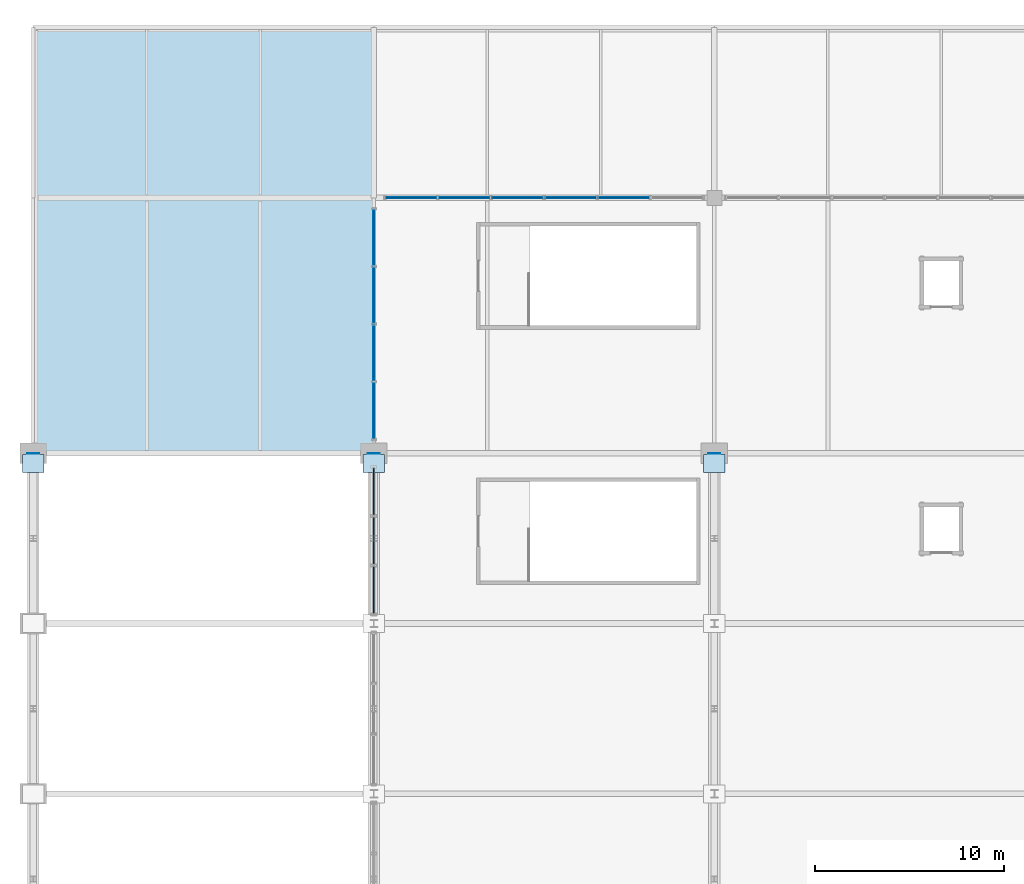
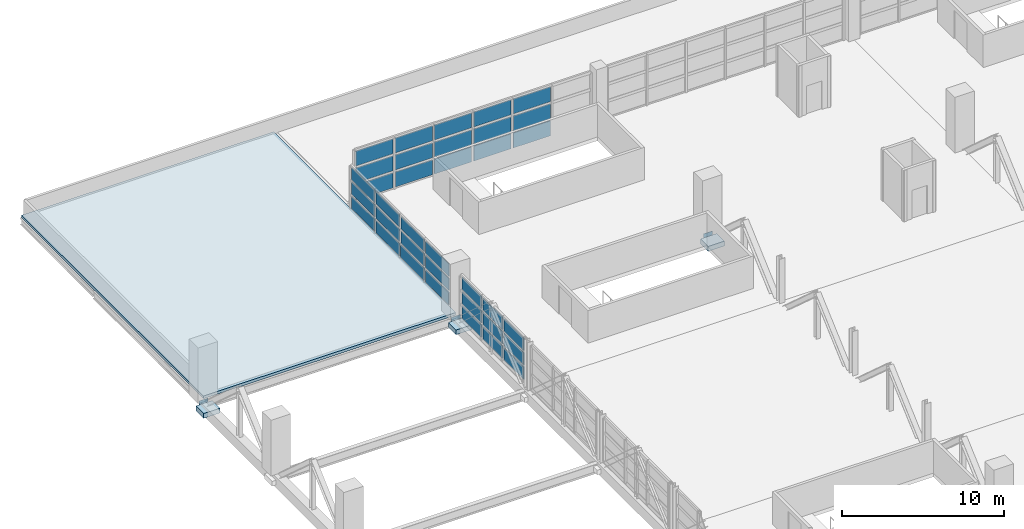
# One storey, part 103 of 136: 42 plates, 1 slab, 3 elements without a shape of their own.
"""IFC4 building model written with IfcOpenShell, lengths in metres."""

from ifc_helpers import new_model, si_unit, direction, frame, origin, origin_2d, place, context, subcontext, project, spatial, polyline, rectangle, outline, extrude, material, layer, layer_set, type_object, element, aggregate, save


model = new_model("IFC4")

# Units and contexts
model_context = context("Model", 3, precision=1e-05, world=origin(), true_north=direction((0.0, 1.0)))
body_context = subcontext(model_context, "Body", "Model", "MODEL_VIEW")
ifc_project = project(units=[si_unit("LENGTHUNIT", "METRE"), si_unit("AREAUNIT", "SQUARE_METRE"), si_unit("VOLUMEUNIT", "CUBIC_METRE"), si_unit("PLANEANGLEUNIT", "RADIAN"), si_unit("MASSUNIT", "GRAM", prefix="KILO")], contexts=[model_context])

# Site, building, storey
site_placement = place(None, origin())
site = spatial("IfcSite", under=ifc_project, at=site_placement, CompositionType="ELEMENT")
building_placement = place(site_placement, origin())
building = spatial("IfcBuilding", under=site, at=building_placement, Name="Chuanluo Vaults Station", CompositionType="ELEMENT")
storey_placement = place(building_placement, frame((0.0, 0.0, 6.60009765625)))
storey = spatial("IfcBuildingStorey", under=building, at=storey_placement, Name="L01", CompositionType="ELEMENT", Elevation=6.60009765625)

# Curtain wall, plates
ifc_material_1 = material(Name="Anodised aluminium 6063-T6", Category="aluminium")
curtain_wall_type_1 = type_object("IfcCurtainWallType", Name="CW-SYS-07", PredefinedType="NOTDEFINED", material=ifc_material_1)
curtain_wall_1_placement = place(storey_placement, origin())
curtain_wall_1 = element("IfcCurtainWall", 1, at=curtain_wall_1_placement, inside=storey, type_object=curtain_wall_type_1, Name="Over-track V2 north facade CW", PredefinedType="NOTDEFINED")
ifc_material_2 = material(Name="Ceramic-fritted spandrel glass", Category="glass")
ifc_layer_1 = layer(ifc_material_2, 0.06396484375)
ifc_layer_set_1 = layer_set([ifc_layer_1], Name="Ceramic-fritted spandrel glass")
plate_type_1 = type_object("IfcPlateType", Name="CWP-SPN-42", PredefinedType="SHEET", material=ifc_layer_set_1)
plate_1_placement = place(storey_placement, frame((19.97900390625, 117.0, 0.080078125), z_axis=(0.0, 0.0, 1.0), x_axis=(1.0, 0.0, 0.0)))
plate_1 = element("IfcPlate", 2, at=plate_1_placement, type_object=plate_type_1, Name="Over-track V2 north facade CW glazed panel 1.1", PredefinedType="SHEET", context=body_context, shape_type="SweptSolid", body=[
    extrude(rectangle(XDim=2.648193359375, YDim=0.06396484375, at=origin_2d()), origin(), (0.0, 0.0, 1.0), 1.123291015625),
])
plate_2_placement = place(storey_placement, frame((22.78759765625, 117.0, 0.080078125), z_axis=(0.0, 0.0, 1.0), x_axis=(1.0, 0.0, 0.0)))
plate_2 = element("IfcPlate", 3, at=plate_2_placement, type_object=plate_type_1, Name="Over-track V2 north facade CW glazed panel 2.1", PredefinedType="SHEET", context=body_context, shape_type="SweptSolid", body=[
    extrude(rectangle(XDim=2.648193359375, YDim=0.06396484375, at=origin_2d()), origin(), (0.0, 0.0, 1.0), 1.123291015625),
])
plate_3_placement = place(storey_placement, frame((25.595703125, 117.0, 0.080078125), z_axis=(0.0, 0.0, 1.0), x_axis=(1.0, 0.0, 0.0)))
plate_3 = element("IfcPlate", 4, at=plate_3_placement, type_object=plate_type_1, Name="Over-track V2 north facade CW glazed panel 3.1", PredefinedType="SHEET", context=body_context, shape_type="SweptSolid", body=[
    extrude(rectangle(XDim=2.648193359375, YDim=0.06396484375, at=origin_2d()), origin(), (0.0, 0.0, 1.0), 1.123291015625),
])
plate_4_placement = place(storey_placement, frame((28.404296875, 117.0, 0.080078125), z_axis=(0.0, 0.0, 1.0), x_axis=(1.0, 0.0, 0.0)))
plate_4 = element("IfcPlate", 5, at=plate_4_placement, type_object=plate_type_1, Name="Over-track V2 north facade CW glazed panel 4.1", PredefinedType="SHEET", context=body_context, shape_type="SweptSolid", body=[
    extrude(rectangle(XDim=2.648193359375, YDim=0.06396484375, at=origin_2d()), origin(), (0.0, 0.0, 1.0), 1.123291015625),
])
plate_5_placement = place(storey_placement, frame((31.21240234375, 117.0, 0.080078125), z_axis=(0.0, 0.0, 1.0), x_axis=(1.0, 0.0, 0.0)))
plate_5 = element("IfcPlate", 6, at=plate_5_placement, type_object=plate_type_1, Name="Over-track V2 north facade CW glazed panel 5.1", PredefinedType="SHEET", context=body_context, shape_type="SweptSolid", body=[
    extrude(rectangle(XDim=2.648193359375, YDim=0.06396484375, at=origin_2d()), origin(), (0.0, 0.0, 1.0), 1.123291015625),
])

ifc_material_3 = material(Name="Anodised aluminium 6063-T6", Category="aluminium")
curtain_wall_type_2 = type_object("IfcCurtainWallType", Name="CW-SYS-01", PredefinedType="NOTDEFINED", material=ifc_material_3)
curtain_wall_2_placement = place(storey_placement, origin())
curtain_wall_2 = element("IfcCurtainWall", 7, at=curtain_wall_2_placement, inside=storey, type_object=curtain_wall_type_2, Name="Over-track west hall CW 94", PredefinedType="NOTDEFINED")
plate_6_placement = place(storey_placement, frame((18.0, 96.27490234375, 0.079833984375), z_axis=(0.0, 0.0, 1.0), x_axis=(0.0, 1.0, 0.0)))
plate_6 = element("IfcPlate", 8, at=plate_6_placement, type_object=plate_type_1, Name="Over-track west hall CW 94 glazed panel 1.1", PredefinedType="SHEET", context=body_context, shape_type="SweptSolid", body=[
    extrude(rectangle(XDim=2.43994140625, YDim=0.06396484375, at=origin_2d()), origin(), (0.0, 0.0, 1.0), 0.92333984375),
])
plate_7_placement = place(storey_placement, frame((18.0, 98.875, 0.079833984375), z_axis=(0.0, 0.0, 1.0), x_axis=(0.0, 1.0, 0.0)))
plate_7 = element("IfcPlate", 9, at=plate_7_placement, type_object=plate_type_1, Name="Over-track west hall CW 94 glazed panel 2.1", PredefinedType="SHEET", context=body_context, shape_type="SweptSolid", body=[
    extrude(rectangle(XDim=2.43994140625, YDim=0.06396484375, at=origin_2d()), origin(), (0.0, 0.0, 1.0), 0.92333984375),
])
plate_8_placement = place(storey_placement, frame((18.0, 101.47509765625, 0.079833984375), z_axis=(0.0, 0.0, 1.0), x_axis=(0.0, 1.0, 0.0)))
plate_8 = element("IfcPlate", 10, at=plate_8_placement, type_object=plate_type_1, Name="Over-track west hall CW 94 glazed panel 3.1", PredefinedType="SHEET", context=body_context, shape_type="SweptSolid", body=[
    extrude(rectangle(XDim=2.43994140625, YDim=0.06396484375, at=origin_2d()), origin(), (0.0, 0.0, 1.0), 0.92333984375),
])

ifc_material_4 = material(Name="Anodised aluminium 6063-T6", Category="aluminium")
curtain_wall_type_3 = type_object("IfcCurtainWallType", Name="CW-SYS-03", PredefinedType="NOTDEFINED", material=ifc_material_4)
curtain_wall_3_placement = place(storey_placement, origin())
curtain_wall_3 = element("IfcCurtainWall", 11, at=curtain_wall_3_placement, inside=storey, type_object=curtain_wall_type_3, Name="Over-track west hall CW 103", PredefinedType="NOTDEFINED")
plate_9_placement = place(storey_placement, frame((18.0, 105.75, 0.079833984375), z_axis=(0.0, 0.0, 1.0), x_axis=(0.0, 1.0, 0.0)))
plate_9 = element("IfcPlate", 12, at=plate_9_placement, type_object=plate_type_1, Name="Over-track west hall CW 103 glazed panel 1.1", PredefinedType="SHEET", context=body_context, shape_type="SweptSolid", body=[
    extrude(rectangle(XDim=2.889892578125, YDim=0.06396484375, at=origin_2d()), origin(), (0.0, 0.0, 1.0), 0.92333984375),
])
plate_10_placement = place(storey_placement, frame((18.0, 108.800048828125, 0.079833984375), z_axis=(0.0, 0.0, 1.0), x_axis=(0.0, 1.0, 0.0)))
plate_10 = element("IfcPlate", 13, at=plate_10_placement, type_object=plate_type_1, Name="Over-track west hall CW 103 glazed panel 2.1", PredefinedType="SHEET", context=body_context, shape_type="SweptSolid", body=[
    extrude(rectangle(XDim=2.889892578125, YDim=0.06396484375, at=origin_2d()), origin(), (0.0, 0.0, 1.0), 0.92333984375),
])
plate_11_placement = place(storey_placement, frame((18.0, 111.85009765625, 0.079833984375), z_axis=(0.0, 0.0, 1.0), x_axis=(0.0, 1.0, 0.0)))
plate_11 = element("IfcPlate", 14, at=plate_11_placement, type_object=plate_type_1, Name="Over-track west hall CW 103 glazed panel 3.1", PredefinedType="SHEET", context=body_context, shape_type="SweptSolid", body=[
    extrude(rectangle(XDim=2.889892578125, YDim=0.06396484375, at=origin_2d()), origin(), (0.0, 0.0, 1.0), 0.92333984375),
])
plate_12_placement = place(storey_placement, frame((18.0, 114.89990234375, 0.079833984375), z_axis=(0.0, 0.0, 1.0), x_axis=(0.0, 1.0, 0.0)))
plate_12 = element("IfcPlate", 15, at=plate_12_placement, type_object=plate_type_1, Name="Over-track west hall CW 103 glazed panel 4.1", PredefinedType="SHEET", context=body_context, shape_type="SweptSolid", body=[
    extrude(rectangle(XDim=2.889892578125, YDim=0.06396484375, at=origin_2d()), origin(), (0.0, 0.0, 1.0), 0.92333984375),
])

# Plate
ifc_material_5 = material(Name="Double-silver Low-E laminated glass", Category="glass")
ifc_layer_2 = layer(ifc_material_5, 0.048095703125)
ifc_layer_set_2 = layer_set([ifc_layer_2], Name="Double-silver Low-E laminated glass")
plate_type_2 = type_object("IfcPlateType", Name="CWP-VIS-32", PredefinedType="CURTAIN_PANEL", material=ifc_layer_set_2)
plate_13_placement = place(storey_placement, frame((19.97900390625, 117.0, 1.36328125), z_axis=(0.0, 0.0, 1.0), x_axis=(1.0, 0.0, 0.0)))
plate_13 = element("IfcPlate", 16, at=plate_13_placement, type_object=plate_type_2, Name="Over-track V2 north facade CW glazed panel 1.2", PredefinedType="CURTAIN_PANEL", context=body_context, shape_type="SweptSolid", body=[
    extrude(rectangle(XDim=2.648193359375, YDim=0.048095703125, at=origin_2d()), origin(), (0.0, 0.0, 1.0), 1.123291015625),
])

plate_14_placement = place(storey_placement, frame((19.97900390625, 117.0, 2.646484375), z_axis=(0.0, 0.0, 1.0), x_axis=(1.0, 0.0, 0.0)))
plate_14 = element("IfcPlate", 17, at=plate_14_placement, type_object=plate_type_2, Name="Over-track V2 north facade CW glazed panel 1.3", PredefinedType="CURTAIN_PANEL", context=body_context, shape_type="SweptSolid", body=[
    extrude(rectangle(XDim=2.648193359375, YDim=0.048095703125, at=origin_2d()), origin(), (0.0, 0.0, 1.0), 1.123291015625),
])

plate_15_placement = place(storey_placement, frame((22.78759765625, 117.0, 1.36328125), z_axis=(0.0, 0.0, 1.0), x_axis=(1.0, 0.0, 0.0)))
plate_15 = element("IfcPlate", 18, at=plate_15_placement, type_object=plate_type_2, Name="Over-track V2 north facade CW glazed panel 2.2", PredefinedType="CURTAIN_PANEL", context=body_context, shape_type="SweptSolid", body=[
    extrude(rectangle(XDim=2.648193359375, YDim=0.048095703125, at=origin_2d()), origin(), (0.0, 0.0, 1.0), 1.123291015625),
])

plate_16_placement = place(storey_placement, frame((22.78759765625, 117.0, 2.646484375), z_axis=(0.0, 0.0, 1.0), x_axis=(1.0, 0.0, 0.0)))
plate_16 = element("IfcPlate", 19, at=plate_16_placement, type_object=plate_type_2, Name="Over-track V2 north facade CW glazed panel 2.3", PredefinedType="CURTAIN_PANEL", context=body_context, shape_type="SweptSolid", body=[
    extrude(rectangle(XDim=2.648193359375, YDim=0.048095703125, at=origin_2d()), origin(), (0.0, 0.0, 1.0), 1.123291015625),
])

plate_17_placement = place(storey_placement, frame((25.595703125, 117.0, 1.36328125), z_axis=(0.0, 0.0, 1.0), x_axis=(1.0, 0.0, 0.0)))
plate_17 = element("IfcPlate", 20, at=plate_17_placement, type_object=plate_type_2, Name="Over-track V2 north facade CW glazed panel 3.2", PredefinedType="CURTAIN_PANEL", context=body_context, shape_type="SweptSolid", body=[
    extrude(rectangle(XDim=2.648193359375, YDim=0.048095703125, at=origin_2d()), origin(), (0.0, 0.0, 1.0), 1.123291015625),
])

plate_18_placement = place(storey_placement, frame((25.595703125, 117.0, 2.646484375), z_axis=(0.0, 0.0, 1.0), x_axis=(1.0, 0.0, 0.0)))
plate_18 = element("IfcPlate", 21, at=plate_18_placement, type_object=plate_type_2, Name="Over-track V2 north facade CW glazed panel 3.3", PredefinedType="CURTAIN_PANEL", context=body_context, shape_type="SweptSolid", body=[
    extrude(rectangle(XDim=2.648193359375, YDim=0.048095703125, at=origin_2d()), origin(), (0.0, 0.0, 1.0), 1.123291015625),
])

plate_19_placement = place(storey_placement, frame((28.404296875, 117.0, 1.36328125), z_axis=(0.0, 0.0, 1.0), x_axis=(1.0, 0.0, 0.0)))
plate_19 = element("IfcPlate", 22, at=plate_19_placement, type_object=plate_type_2, Name="Over-track V2 north facade CW glazed panel 4.2", PredefinedType="CURTAIN_PANEL", context=body_context, shape_type="SweptSolid", body=[
    extrude(rectangle(XDim=2.648193359375, YDim=0.048095703125, at=origin_2d()), origin(), (0.0, 0.0, 1.0), 1.123291015625),
])

plate_20_placement = place(storey_placement, frame((28.404296875, 117.0, 2.646484375), z_axis=(0.0, 0.0, 1.0), x_axis=(1.0, 0.0, 0.0)))
plate_20 = element("IfcPlate", 23, at=plate_20_placement, type_object=plate_type_2, Name="Over-track V2 north facade CW glazed panel 4.3", PredefinedType="CURTAIN_PANEL", context=body_context, shape_type="SweptSolid", body=[
    extrude(rectangle(XDim=2.648193359375, YDim=0.048095703125, at=origin_2d()), origin(), (0.0, 0.0, 1.0), 1.123291015625),
])

plate_21_placement = place(storey_placement, frame((31.21240234375, 117.0, 1.36328125), z_axis=(0.0, 0.0, 1.0), x_axis=(1.0, 0.0, 0.0)))
plate_21 = element("IfcPlate", 24, at=plate_21_placement, type_object=plate_type_2, Name="Over-track V2 north facade CW glazed panel 5.2", PredefinedType="CURTAIN_PANEL", context=body_context, shape_type="SweptSolid", body=[
    extrude(rectangle(XDim=2.648193359375, YDim=0.048095703125, at=origin_2d()), origin(), (0.0, 0.0, 1.0), 1.123291015625),
])

plate_22_placement = place(storey_placement, frame((31.21240234375, 117.0, 2.646484375), z_axis=(0.0, 0.0, 1.0), x_axis=(1.0, 0.0, 0.0)))
plate_22 = element("IfcPlate", 25, at=plate_22_placement, type_object=plate_type_2, Name="Over-track V2 north facade CW glazed panel 5.3", PredefinedType="CURTAIN_PANEL", context=body_context, shape_type="SweptSolid", body=[
    extrude(rectangle(XDim=2.648193359375, YDim=0.048095703125, at=origin_2d()), origin(), (0.0, 0.0, 1.0), 1.123291015625),
])

aggregate(curtain_wall_1, [plate_1, plate_13, plate_14, plate_2, plate_15, plate_16, plate_3, plate_17, plate_18, plate_4, plate_19, plate_20, plate_5, plate_21, plate_22])

plate_23_placement = place(storey_placement, frame((18.0, 105.75, 1.163330078125), z_axis=(0.0, 0.0, 1.0), x_axis=(0.0, 1.0, 0.0)))
plate_23 = element("IfcPlate", 26, at=plate_23_placement, type_object=plate_type_2, Name="Over-track west hall CW 103 glazed panel 1.2", PredefinedType="CURTAIN_PANEL", context=body_context, shape_type="SweptSolid", body=[
    extrude(rectangle(XDim=2.889892578125, YDim=0.048095703125, at=origin_2d()), origin(), (0.0, 0.0, 1.0), 0.92333984375),
])

plate_24_placement = place(storey_placement, frame((18.0, 105.75, 2.24658203125), z_axis=(0.0, 0.0, 1.0), x_axis=(0.0, 1.0, 0.0)))
plate_24 = element("IfcPlate", 27, at=plate_24_placement, type_object=plate_type_2, Name="Over-track west hall CW 103 glazed panel 1.3", PredefinedType="CURTAIN_PANEL", context=body_context, shape_type="SweptSolid", body=[
    extrude(rectangle(XDim=2.889892578125, YDim=0.048095703125, at=origin_2d()), origin(), (0.0, 0.0, 1.0), 0.92333984375),
])

plate_25_placement = place(storey_placement, frame((18.0, 108.800048828125, 1.163330078125), z_axis=(0.0, 0.0, 1.0), x_axis=(0.0, 1.0, 0.0)))
plate_25 = element("IfcPlate", 28, at=plate_25_placement, type_object=plate_type_2, Name="Over-track west hall CW 103 glazed panel 2.2", PredefinedType="CURTAIN_PANEL", context=body_context, shape_type="SweptSolid", body=[
    extrude(rectangle(XDim=2.889892578125, YDim=0.048095703125, at=origin_2d()), origin(), (0.0, 0.0, 1.0), 0.92333984375),
])

plate_26_placement = place(storey_placement, frame((18.0, 108.800048828125, 2.24658203125), z_axis=(0.0, 0.0, 1.0), x_axis=(0.0, 1.0, 0.0)))
plate_26 = element("IfcPlate", 29, at=plate_26_placement, type_object=plate_type_2, Name="Over-track west hall CW 103 glazed panel 2.3", PredefinedType="CURTAIN_PANEL", context=body_context, shape_type="SweptSolid", body=[
    extrude(rectangle(XDim=2.889892578125, YDim=0.048095703125, at=origin_2d()), origin(), (0.0, 0.0, 1.0), 0.92333984375),
])

plate_27_placement = place(storey_placement, frame((18.0, 111.85009765625, 1.163330078125), z_axis=(0.0, 0.0, 1.0), x_axis=(0.0, 1.0, 0.0)))
plate_27 = element("IfcPlate", 30, at=plate_27_placement, type_object=plate_type_2, Name="Over-track west hall CW 103 glazed panel 3.2", PredefinedType="CURTAIN_PANEL", context=body_context, shape_type="SweptSolid", body=[
    extrude(rectangle(XDim=2.889892578125, YDim=0.048095703125, at=origin_2d()), origin(), (0.0, 0.0, 1.0), 0.92333984375),
])

plate_28_placement = place(storey_placement, frame((18.0, 111.85009765625, 2.24658203125), z_axis=(0.0, 0.0, 1.0), x_axis=(0.0, 1.0, 0.0)))
plate_28 = element("IfcPlate", 31, at=plate_28_placement, type_object=plate_type_2, Name="Over-track west hall CW 103 glazed panel 3.3", PredefinedType="CURTAIN_PANEL", context=body_context, shape_type="SweptSolid", body=[
    extrude(rectangle(XDim=2.889892578125, YDim=0.048095703125, at=origin_2d()), origin(), (0.0, 0.0, 1.0), 0.92333984375),
])

plate_29_placement = place(storey_placement, frame((18.0, 114.89990234375, 1.163330078125), z_axis=(0.0, 0.0, 1.0), x_axis=(0.0, 1.0, 0.0)))
plate_29 = element("IfcPlate", 32, at=plate_29_placement, type_object=plate_type_2, Name="Over-track west hall CW 103 glazed panel 4.2", PredefinedType="CURTAIN_PANEL", context=body_context, shape_type="SweptSolid", body=[
    extrude(rectangle(XDim=2.889892578125, YDim=0.048095703125, at=origin_2d()), origin(), (0.0, 0.0, 1.0), 0.92333984375),
])

plate_30_placement = place(storey_placement, frame((18.0, 114.89990234375, 2.24658203125), z_axis=(0.0, 0.0, 1.0), x_axis=(0.0, 1.0, 0.0)))
plate_30 = element("IfcPlate", 33, at=plate_30_placement, type_object=plate_type_2, Name="Over-track west hall CW 103 glazed panel 4.3", PredefinedType="CURTAIN_PANEL", context=body_context, shape_type="SweptSolid", body=[
    extrude(rectangle(XDim=2.889892578125, YDim=0.048095703125, at=origin_2d()), origin(), (0.0, 0.0, 1.0), 0.92333984375),
])

aggregate(curtain_wall_3, [plate_9, plate_23, plate_24, plate_10, plate_25, plate_26, plate_11, plate_27, plate_28, plate_12, plate_29, plate_30])

ifc_material_6 = material(Name="Double-silver Low-E laminated glass", Category="glass")
ifc_layer_3 = layer(ifc_material_6, 0.05810546875)
ifc_layer_set_3 = layer_set([ifc_layer_3], Name="Double-silver Low-E laminated glass")
plate_type_3 = type_object("IfcPlateType", Name="CWP-VIS-38", PredefinedType="CURTAIN_PANEL", material=ifc_layer_set_3)
plate_31_placement = place(storey_placement, frame((18.0, 96.27490234375, 1.163330078125), z_axis=(0.0, 0.0, 1.0), x_axis=(0.0, 1.0, 0.0)))
plate_31 = element("IfcPlate", 34, at=plate_31_placement, type_object=plate_type_3, Name="Over-track west hall CW 94 glazed panel 1.2", PredefinedType="CURTAIN_PANEL", context=body_context, shape_type="SweptSolid", body=[
    extrude(rectangle(XDim=2.43994140625, YDim=0.05810546875, at=origin_2d()), origin(), (0.0, 0.0, 1.0), 0.92333984375),
])

plate_32_placement = place(storey_placement, frame((18.0, 96.27490234375, 2.24658203125), z_axis=(0.0, 0.0, 1.0), x_axis=(0.0, 1.0, 0.0)))
plate_32 = element("IfcPlate", 35, at=plate_32_placement, type_object=plate_type_3, Name="Over-track west hall CW 94 glazed panel 1.3", PredefinedType="CURTAIN_PANEL", context=body_context, shape_type="SweptSolid", body=[
    extrude(rectangle(XDim=2.43994140625, YDim=0.05810546875, at=origin_2d()), origin(), (0.0, 0.0, 1.0), 0.92333984375),
])

plate_33_placement = place(storey_placement, frame((18.0, 98.875, 1.163330078125), z_axis=(0.0, 0.0, 1.0), x_axis=(0.0, 1.0, 0.0)))
plate_33 = element("IfcPlate", 36, at=plate_33_placement, type_object=plate_type_3, Name="Over-track west hall CW 94 glazed panel 2.2", PredefinedType="CURTAIN_PANEL", context=body_context, shape_type="SweptSolid", body=[
    extrude(rectangle(XDim=2.43994140625, YDim=0.05810546875, at=origin_2d()), origin(), (0.0, 0.0, 1.0), 0.92333984375),
])

plate_34_placement = place(storey_placement, frame((18.0, 98.875, 2.24658203125), z_axis=(0.0, 0.0, 1.0), x_axis=(0.0, 1.0, 0.0)))
plate_34 = element("IfcPlate", 37, at=plate_34_placement, type_object=plate_type_3, Name="Over-track west hall CW 94 glazed panel 2.3", PredefinedType="CURTAIN_PANEL", context=body_context, shape_type="SweptSolid", body=[
    extrude(rectangle(XDim=2.43994140625, YDim=0.05810546875, at=origin_2d()), origin(), (0.0, 0.0, 1.0), 0.92333984375),
])

plate_35_placement = place(storey_placement, frame((18.0, 101.47509765625, 1.163330078125), z_axis=(0.0, 0.0, 1.0), x_axis=(0.0, 1.0, 0.0)))
plate_35 = element("IfcPlate", 38, at=plate_35_placement, type_object=plate_type_3, Name="Over-track west hall CW 94 glazed panel 3.2", PredefinedType="CURTAIN_PANEL", context=body_context, shape_type="SweptSolid", body=[
    extrude(rectangle(XDim=2.43994140625, YDim=0.05810546875, at=origin_2d()), origin(), (0.0, 0.0, 1.0), 0.92333984375),
])

plate_36_placement = place(storey_placement, frame((18.0, 101.47509765625, 2.24658203125), z_axis=(0.0, 0.0, 1.0), x_axis=(0.0, 1.0, 0.0)))
plate_36 = element("IfcPlate", 39, at=plate_36_placement, type_object=plate_type_3, Name="Over-track west hall CW 94 glazed panel 3.3", PredefinedType="CURTAIN_PANEL", context=body_context, shape_type="SweptSolid", body=[
    extrude(rectangle(XDim=2.43994140625, YDim=0.05810546875, at=origin_2d()), origin(), (0.0, 0.0, 1.0), 0.92333984375),
])

aggregate(curtain_wall_2, [plate_6, plate_31, plate_32, plate_7, plate_33, plate_34, plate_8, plate_35, plate_36])

# Plates
ifc_material_7 = material(Name="Steel Q390C", Category="steel")
ifc_layer_4 = layer(ifc_material_7, 0.02587890625)
ifc_layer_set_4 = layer_set([ifc_layer_4], Name="Steel Q390C")
plate_type_4 = type_object("IfcPlateType", Name="PLT-CAP-26", PredefinedType="USERDEFINED", material=ifc_layer_set_4)
for number, where, z_axis, x_axis, name in (
    (40, (0.0, 103.5, -1.10009765625), (0.0, 0.0, 1.0), (1.0, 0.0, 0.0), "Truss TT-1 bottom chord end cap N"),
    (41, (18.0, 103.5, -1.10009765625), (0.0, 0.0, 1.0), (1.0, 0.0, 0.0), "Truss TT-2 bottom chord end cap N"),
    (42, (36.0, 103.5, -1.10009765625), (0.0, 0.0, 1.0), (1.0, 0.0, 0.0), "Truss TT-3 bottom chord end cap N"),
):
    element("IfcPlate", number, at=place(storey_placement, frame(where, z_axis=z_axis, x_axis=x_axis)), inside=storey, type_object=plate_type_4, Name=name, ObjectType="COVER_PLATE", PredefinedType="USERDEFINED", context=body_context, shape_type="SweptSolid", body=[
        extrude(rectangle(XDim=0.639892578125, YDim=0.02587890625, at=origin_2d()), origin(), (0.0, 0.0, 1.0), 0.840087890625),
    ])
ifc_material_8 = material(Name="Steel Q390C", Category="steel")
ifc_layer_5 = layer(ifc_material_8, 0.031982421875)
ifc_layer_set_5 = layer_set([ifc_layer_5], Name="Steel Q390C")
plate_type_5 = type_object("IfcPlateType", Name="PLT-GUS-32", PredefinedType="USERDEFINED", material=ifc_layer_set_5)
for number, where, z_axis, x_axis, name in (
    (43, (0.0, 102.949951171875, -0.8603515625), (0.0, 0.0, 1.0), (1.0, 0.0, 0.0), "Structural steel node diaphragm 0005"),
    (44, (18.0, 102.949951171875, -0.8603515625), (0.0, 0.0, 1.0), (1.0, 0.0, 0.0), "Structural steel node diaphragm 0010"),
    (45, (36.0, 102.949951171875, -0.8603515625), (0.0, 0.0, 1.0), (1.0, 0.0, 0.0), "Structural steel node diaphragm 0015"),
):
    element("IfcPlate", number, at=place(storey_placement, frame(where, z_axis=z_axis, x_axis=x_axis)), inside=storey, type_object=plate_type_5, Name=name, ObjectType="GUSSET_PLATE", PredefinedType="USERDEFINED", context=body_context, shape_type="SweptSolid", body=[
        extrude(rectangle(XDim=1.14990234375, YDim=0.949951171875, at=origin_2d()), origin(), (0.0, 0.0, 1.0), 0.360107421875),
    ])

# Slab
ifc_material_9 = material(Name="Concrete C40", Category="concrete")
ifc_layer_6 = layer(ifc_material_9, 0.205078125)
ifc_layer_set_6 = layer_set([ifc_layer_6], Name="Concrete C40")
slab_type = type_object("IfcSlabType", Name="SLB-ROOF-205", PredefinedType="ROOF", material=ifc_layer_set_6)
slab_placement = place(storey_placement, frame((0.0, 0.0, -0.205078125)))
element("IfcSlab", 46, at=slab_placement, inside=storey, type_object=slab_type, Name="L01 roof slab N1", PredefinedType="ROOF", context=body_context, shape_type="SweptSolid", body=[
    extrude(outline(polyline([(0.0, 103.5), (18.0, 103.5), (18.0, 126.0), (0.0, 126.0), (0.0, 103.5)])), origin(), (0.0, 0.0, 1.0), 0.205078125),
])

save(model, "model.ifc")
